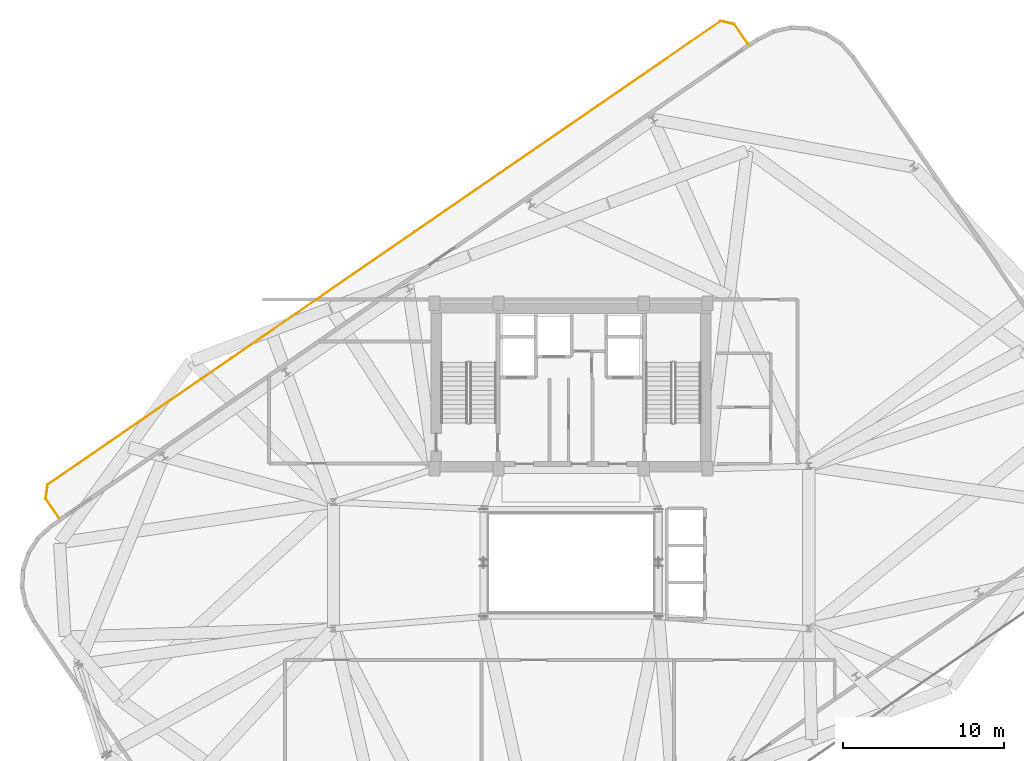
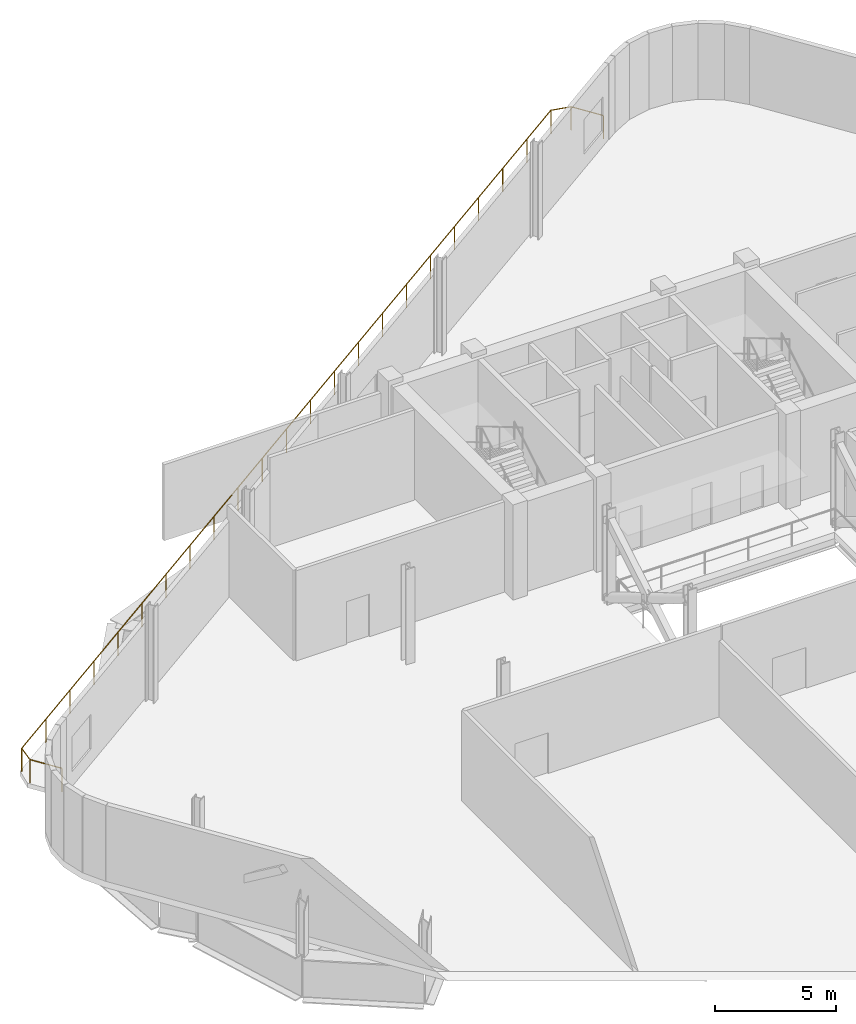
# One storey, part 12 of 13: 1 railing.
"""IFC4 building model written with IfcOpenShell, lengths in metres."""

from ifc_helpers import new_model, si_unit, direction, frame, origin, origin_2d, place, context, subcontext, project, spatial, circle, extrude, material, type_object, element, save


model = new_model("IFC4")

# Units and contexts
model_context = context("Model", 3, precision=1e-05, world=origin(), true_north=direction((0.0, 1.0)))
body_context = subcontext(model_context, "Body", "Model", "MODEL_VIEW")
ifc_project = project(units=[si_unit("LENGTHUNIT", "METRE"), si_unit("AREAUNIT", "SQUARE_METRE"), si_unit("VOLUMEUNIT", "CUBIC_METRE"), si_unit("PLANEANGLEUNIT", "RADIAN"), si_unit("MASSUNIT", "GRAM", prefix="KILO")], contexts=[model_context])

# Site, building, storey
site_placement = place(None, origin())
site = spatial("IfcSite", under=ifc_project, at=site_placement, CompositionType="ELEMENT")
building_placement = place(site_placement, origin())
building = spatial("IfcBuilding", under=site, at=building_placement, Name="Varnelok Gate Tower", CompositionType="ELEMENT")
storey_placement = place(building_placement, frame((0.0, 0.0, 253.39990234375)))
storey = spatial("IfcBuildingStorey", under=building, at=storey_placement, Name="L65", CompositionType="ELEMENT", Elevation=253.39990234375)

# Railing
ifc_material = material(Name="Anodized Aluminum Alloy 6063-T6", Category="aluminium")
railing_type = type_object("IfcRailingType", Name="RL-SKYG-1200", PredefinedType="GUARDRAIL", material=ifc_material)
railing_placement = place(storey_placement, frame((7.3173828125, 25.681396484375, 0.0)))
element("IfcRailing", 1, at=railing_placement, inside=storey, type_object=railing_type, Name="L65 North Terrace Balustrade 2", PredefinedType="GUARDRAIL", context=body_context, shape_type="SweptSolid", body=[
    extrude(circle(Radius=0.02392578125, at=origin_2d()), frame((0.0, 0.0, 1.17578125), z_axis=(-0.56724766005, 0.823547261648, 0.0), x_axis=(-0.823547261648, -0.56724766005, 0.0)), (0.0, 0.0, 1.0), 1.4697265625),
    extrude(circle(Radius=0.02392578125, at=origin_2d()), frame((-0.833740234375, 1.21044921875, 1.17578125), z_axis=(0.133201906242, 0.991088922435, 0.0), x_axis=(-0.991088922435, 0.133201906242, 0.0)), (0.0, 0.0, 1.0), 0.8779296875),
    extrude(circle(Radius=0.02392578125, at=origin_2d()), frame((-0.716796875, 2.08056640625, 1.17578125), z_axis=(0.823533294808, 0.567267936995, 0.0), x_axis=(-0.567267936995, 0.823533294808, 0.0)), (0.0, 0.0, 1.0), 50.900146484375),
    extrude(circle(Radius=0.02392578125, at=origin_2d()), frame((41.201171875, 30.95458984375, 1.17578125), z_axis=(0.973526462254, -0.228574336467, 0.0), x_axis=(0.228574336467, 0.973526462254, 0.0)), (0.0, 0.0, 1.0), 0.8779296875),
    extrude(circle(Radius=0.02392578125, at=origin_2d()), frame((42.055908203125, 30.75390625, 1.17578125), z_axis=(0.567170071448, -0.823600698187, 0.0), x_axis=(0.823600698187, 0.567170071448, 0.0)), (0.0, 0.0, 1.0), 1.469970703125),
    extrude(circle(Radius=0.02099609375, at=origin_2d()), origin(), (0.0, 0.0, 1.0), 1.15185546875),
    extrude(circle(Radius=0.02099609375, at=origin_2d()), frame((-0.833740234375, 1.21044921875, 0.0)), (0.0, 0.0, 1.0), 1.15185546875),
    extrude(circle(Radius=0.02099609375, at=origin_2d()), frame((-0.716796875, 2.08056640625, 0.0)), (0.0, 0.0, 1.0), 1.15185546875),
    extrude(circle(Radius=0.02099609375, at=origin_2d()), frame((1.1884765625, 3.39306640625, 0.0)), (0.0, 0.0, 1.0), 1.15185546875),
    extrude(circle(Radius=0.02099609375, at=origin_2d()), frame((3.093994140625, 4.70556640625, 0.0)), (0.0, 0.0, 1.0), 1.15185546875),
    extrude(circle(Radius=0.02099609375, at=origin_2d()), frame((4.999267578125, 6.017822265625, 0.0)), (0.0, 0.0, 1.0), 1.15185546875),
    extrude(circle(Radius=0.02099609375, at=origin_2d()), frame((6.904541015625, 7.330322265625, 0.0)), (0.0, 0.0, 1.0), 1.15185546875),
    extrude(circle(Radius=0.02099609375, at=origin_2d()), frame((8.81005859375, 8.642822265625, 0.0)), (0.0, 0.0, 1.0), 1.15185546875),
    extrude(circle(Radius=0.02099609375, at=origin_2d()), frame((10.71533203125, 9.955322265625, 0.0)), (0.0, 0.0, 1.0), 1.15185546875),
    extrude(circle(Radius=0.02099609375, at=origin_2d()), frame((12.620849609375, 11.267822265625, 0.0)), (0.0, 0.0, 1.0), 1.15185546875),
    extrude(circle(Radius=0.02099609375, at=origin_2d()), frame((14.526123046875, 12.580322265625, 0.0)), (0.0, 0.0, 1.0), 1.15185546875),
    extrude(circle(Radius=0.02099609375, at=origin_2d()), frame((16.431396484375, 13.892578125, 0.0)), (0.0, 0.0, 1.0), 1.15185546875),
    extrude(circle(Radius=0.02099609375, at=origin_2d()), frame((18.3369140625, 15.205078125, 0.0)), (0.0, 0.0, 1.0), 1.15185546875),
    extrude(circle(Radius=0.02099609375, at=origin_2d()), frame((20.2421875, 16.517578125, 0.0)), (0.0, 0.0, 1.0), 1.15185546875),
    extrude(circle(Radius=0.02099609375, at=origin_2d()), frame((22.1474609375, 17.830078125, 0.0)), (0.0, 0.0, 1.0), 1.15185546875),
    extrude(circle(Radius=0.02099609375, at=origin_2d()), frame((24.052978515625, 19.142578125, 0.0)), (0.0, 0.0, 1.0), 1.15185546875),
    extrude(circle(Radius=0.02099609375, at=origin_2d()), frame((25.958251953125, 20.454833984375, 0.0)), (0.0, 0.0, 1.0), 1.15185546875),
    extrude(circle(Radius=0.02099609375, at=origin_2d()), frame((27.863525390625, 21.767333984375, 0.0)), (0.0, 0.0, 1.0), 1.15185546875),
    extrude(circle(Radius=0.02099609375, at=origin_2d()), frame((29.76904296875, 23.079833984375, 0.0)), (0.0, 0.0, 1.0), 1.15185546875),
    extrude(circle(Radius=0.02099609375, at=origin_2d()), frame((31.67431640625, 24.392333984375, 0.0)), (0.0, 0.0, 1.0), 1.15185546875),
    extrude(circle(Radius=0.02099609375, at=origin_2d()), frame((33.579833984375, 25.704833984375, 0.0)), (0.0, 0.0, 1.0), 1.15185546875),
    extrude(circle(Radius=0.02099609375, at=origin_2d()), frame((35.485107421875, 27.017333984375, 0.0)), (0.0, 0.0, 1.0), 1.15185546875),
    extrude(circle(Radius=0.02099609375, at=origin_2d()), frame((37.390380859375, 28.32958984375, 0.0)), (0.0, 0.0, 1.0), 1.15185546875),
    extrude(circle(Radius=0.02099609375, at=origin_2d()), frame((39.2958984375, 29.64208984375, 0.0)), (0.0, 0.0, 1.0), 1.15185546875),
    extrude(circle(Radius=0.02099609375, at=origin_2d()), frame((41.201171875, 30.95458984375, 0.0)), (0.0, 0.0, 1.0), 1.15185546875),
    extrude(circle(Radius=0.02099609375, at=origin_2d()), frame((42.055908203125, 30.75390625, 0.0)), (0.0, 0.0, 1.0), 1.15185546875),
    extrude(circle(Radius=0.02099609375, at=origin_2d()), frame((42.8896484375, 29.543212890625, 0.0)), (0.0, 0.0, 1.0), 1.15185546875),
])

save(model, "model.ifc")
